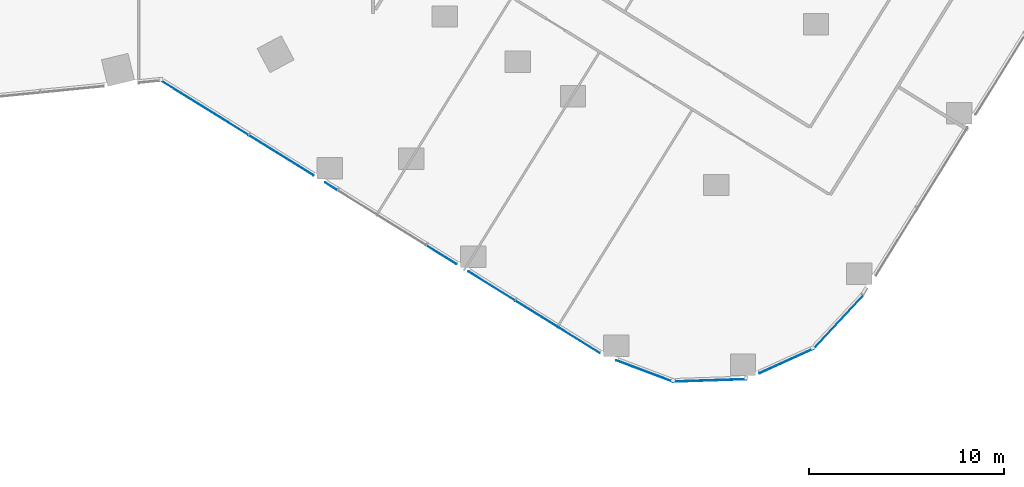
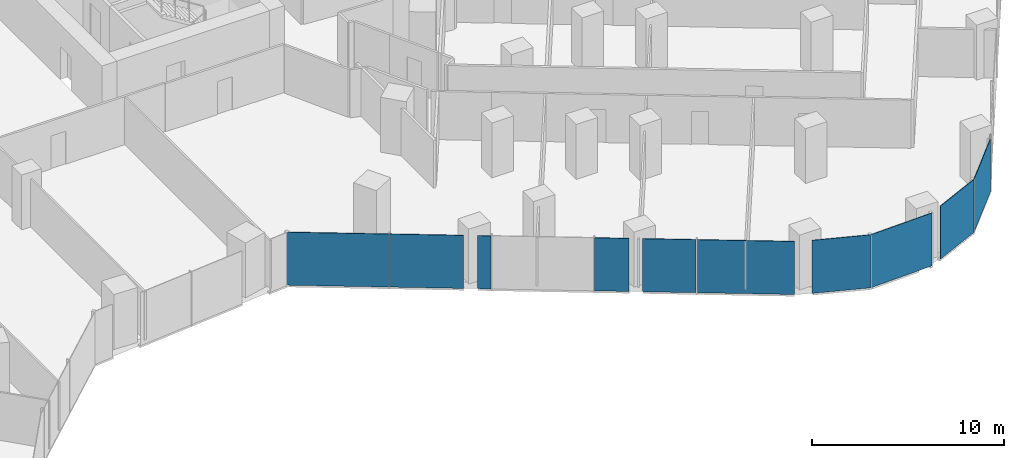
# One storey, part 21 of 34: 10 plates, 5 elements without a shape of their own.
"""IFC4 building model written with IfcOpenShell, lengths in metres."""

from ifc_helpers import new_model, si_unit, direction, frame, origin, origin_2d, place, context, subcontext, project, spatial, rectangle, extrude, material, layer, layer_set, type_object, element, aggregate, save


model = new_model("IFC4")

# Units and contexts
model_context = context("Model", 3, precision=1e-05, world=origin(), true_north=direction((0.0, 1.0)))
body_context = subcontext(model_context, "Body", "Model", "MODEL_VIEW")
ifc_project = project(units=[si_unit("LENGTHUNIT", "METRE"), si_unit("AREAUNIT", "SQUARE_METRE"), si_unit("VOLUMEUNIT", "CUBIC_METRE"), si_unit("PLANEANGLEUNIT", "RADIAN"), si_unit("MASSUNIT", "GRAM", prefix="KILO")], contexts=[model_context])

# Site, building, storey
site_placement = place(None, origin())
site = spatial("IfcSite", under=ifc_project, at=site_placement, CompositionType="ELEMENT")
building_placement = place(site_placement, origin())
building = spatial("IfcBuilding", under=site, at=building_placement, Name="Orlundy Tower", CompositionType="ELEMENT")
storey_placement = place(building_placement, frame((0.0, 0.0, 47.800048828125)))
storey = spatial("IfcBuildingStorey", under=building, at=storey_placement, Name="L10", CompositionType="ELEMENT", Elevation=47.800048828125)

# Curtain wall, plate
ifc_material_1 = material(Name="Aluminium bronze anodised", Category="aluminium")
curtain_wall_type = type_object("IfcCurtainWallType", Name="CW1 wall", PredefinedType="NOTDEFINED", material=ifc_material_1)
curtain_wall_1_placement = place(storey_placement, origin())
curtain_wall_1 = element("IfcCurtainWall", 1, at=curtain_wall_1_placement, inside=storey, type_object=curtain_wall_type, Name="CW1 run 012", PredefinedType="NOTDEFINED")
ifc_material_2 = material(Name="Tinted glass", Category="glass")
ifc_layer = layer(ifc_material_2, 0.031982421875)
ifc_layer_set = layer_set([ifc_layer], Name="CW1 glass panel 32")
plate_type = type_object("IfcPlateType", Name="CW1 glass panel 32", PredefinedType="CURTAIN_PANEL", material=ifc_layer_set)
plate_1_placement = place(storey_placement, frame((43.8515625, -41.78466796875, -0.300048828125), z_axis=(0.0, 0.0, 1.0), x_axis=(-0.68310607378, -0.730319171298, 0.0)))
plate_1 = element("IfcPlate", 2, at=plate_1_placement, type_object=plate_type, Name="CW1 panel", PredefinedType="CURTAIN_PANEL", context=body_context, shape_type="SweptSolid", body=[
    extrude(rectangle(XDim=3.730224609375, YDim=0.031982421875, at=origin_2d()), origin(), (0.0, 0.0, 1.0), 3.3798828125),
])
aggregate(curtain_wall_1, [plate_1])

curtain_wall_2_placement = place(storey_placement, origin())
curtain_wall_2 = element("IfcCurtainWall", 3, at=curtain_wall_2_placement, inside=storey, type_object=curtain_wall_type, Name="CW1 run 013", PredefinedType="NOTDEFINED")
plate_2_placement = place(storey_placement, frame((41.19775390625, -43.773193359375, -0.300048828125), z_axis=(0.0, 0.0, 1.0), x_axis=(-0.91057887201, -0.413335357608, 0.0)))
plate_2 = element("IfcPlate", 4, at=plate_2_placement, type_object=plate_type, Name="CW1 panel", PredefinedType="CURTAIN_PANEL", context=body_context, shape_type="SweptSolid", body=[
    extrude(rectangle(XDim=3.030517578125, YDim=0.031982421875, at=origin_2d()), origin(), (0.0, 0.0, 1.0), 3.3798828125),
])
aggregate(curtain_wall_2, [plate_2])

curtain_wall_3_placement = place(storey_placement, origin())
curtain_wall_3 = element("IfcCurtainWall", 5, at=curtain_wall_3_placement, inside=storey, type_object=curtain_wall_type, Name="CW1 run 014", PredefinedType="NOTDEFINED")
plate_3_placement = place(storey_placement, frame((37.258056640625, -44.768798828125, -0.300048828125), z_axis=(0.0, 0.0, 1.0), x_axis=(-0.99944040698, -0.033449557474, 0.0)))
plate_3 = element("IfcPlate", 6, at=plate_3_placement, type_object=plate_type, Name="CW1 panel", PredefinedType="CURTAIN_PANEL", context=body_context, shape_type="SweptSolid", body=[
    extrude(rectangle(XDim=3.772216796875, YDim=0.031982421875, at=origin_2d()), origin(), (0.0, 0.0, 1.0), 3.3798828125),
])
aggregate(curtain_wall_3, [plate_3])

curtain_wall_4_placement = place(storey_placement, origin())
curtain_wall_4 = element("IfcCurtainWall", 7, at=curtain_wall_4_placement, inside=storey, type_object=curtain_wall_type, Name="CW1 run 015", PredefinedType="NOTDEFINED")
plate_4_placement = place(storey_placement, frame((33.92138671875, -44.287109375, -0.300048828125), z_axis=(0.0, 0.0, 1.0), x_axis=(-0.936173864009, 0.351537332791, 0.0)))
plate_4 = element("IfcPlate", 8, at=plate_4_placement, type_object=plate_type, Name="CW1 panel", PredefinedType="CURTAIN_PANEL", context=body_context, shape_type="SweptSolid", body=[
    extrude(rectangle(XDim=3.1005859375, YDim=0.031982421875, at=origin_2d()), origin(), (0.0, 0.0, 1.0), 3.3798828125),
])
aggregate(curtain_wall_4, [plate_4])

# Curtain wall, plates
curtain_wall_5_placement = place(storey_placement, origin())
curtain_wall_5 = element("IfcCurtainWall", 9, at=curtain_wall_5_placement, inside=storey, type_object=curtain_wall_type, Name="CW1 run 016", PredefinedType="NOTDEFINED")
plate_5_placement = place(storey_placement, frame((29.469482421875, -42.029296875, -0.300048828125), z_axis=(0.0, 0.0, 1.0), x_axis=(-0.849586512969, 0.52744929328, 0.0)))
plate_5 = element("IfcPlate", 10, at=plate_5_placement, type_object=plate_type, Name="CW1 panel", PredefinedType="CURTAIN_PANEL", context=body_context, shape_type="SweptSolid", body=[
    extrude(rectangle(XDim=5.074462890625, YDim=0.031982421875, at=origin_2d()), origin(), (0.0, 0.0, 1.0), 3.3798828125),
])
plate_6_placement = place(storey_placement, frame((26.084228515625, -39.927978515625, -0.300048828125), z_axis=(0.0, 0.0, 1.0), x_axis=(-0.849586512969, 0.52744929328, 0.0)))
plate_6 = element("IfcPlate", 11, at=plate_6_placement, type_object=plate_type, Name="CW1 panel", PredefinedType="CURTAIN_PANEL", context=body_context, shape_type="SweptSolid", body=[
    extrude(rectangle(XDim=2.794189453125, YDim=0.031982421875, at=origin_2d()), origin(), (0.0, 0.0, 1.0), 3.3798828125),
])
plate_7_placement = place(storey_placement, frame((23.52587890625, -38.339599609375, -0.300048828125), z_axis=(0.0, 0.0, 1.0), x_axis=(-0.849586512969, 0.52744929328, 0.0)))
plate_7 = element("IfcPlate", 12, at=plate_7_placement, type_object=plate_type, Name="CW1 panel", PredefinedType="CURTAIN_PANEL", context=body_context, shape_type="SweptSolid", body=[
    extrude(rectangle(XDim=1.79638671875, YDim=0.031982421875, at=origin_2d()), origin(), (0.0, 0.0, 1.0), 3.3798828125),
])
plate_8_placement = place(storey_placement, frame((17.866455078125, -34.825927734375, -0.300048828125), z_axis=(0.0, 0.0, 1.0), x_axis=(-0.849586512969, 0.52744929328, 0.0)))
plate_8 = element("IfcPlate", 13, at=plate_8_placement, type_object=plate_type, Name="CW1 panel", PredefinedType="CURTAIN_PANEL", context=body_context, shape_type="SweptSolid", body=[
    extrude(rectangle(XDim=0.712646484375, YDim=0.031982421875, at=origin_2d()), origin(), (0.0, 0.0, 1.0), 3.3798828125),
])
plate_9_placement = place(storey_placement, frame((15.307373046875, -33.2373046875, -0.300048828125), z_axis=(0.0, 0.0, 1.0), x_axis=(-0.849586512969, 0.52744929328, 0.0)))
plate_9 = element("IfcPlate", 14, at=plate_9_placement, type_object=plate_type, Name="CW1 panel", PredefinedType="CURTAIN_PANEL", context=body_context, shape_type="SweptSolid", body=[
    extrude(rectangle(XDim=3.876220703125, YDim=0.031982421875, at=origin_2d()), origin(), (0.0, 0.0, 1.0), 3.3798828125),
])
plate_10_placement = place(storey_placement, frame((11.376953125, -30.797119140625, -0.300048828125), z_axis=(0.0, 0.0, 1.0), x_axis=(-0.849586512969, 0.52744929328, 0.0)))
plate_10 = element("IfcPlate", 15, at=plate_10_placement, type_object=plate_type, Name="CW1 panel", PredefinedType="CURTAIN_PANEL", context=body_context, shape_type="SweptSolid", body=[
    extrude(rectangle(XDim=5.276123046875, YDim=0.031982421875, at=origin_2d()), origin(), (0.0, 0.0, 1.0), 3.3798828125),
])
aggregate(curtain_wall_5, [plate_5, plate_6, plate_7, plate_8, plate_9, plate_10])

save(model, "model.ifc")
